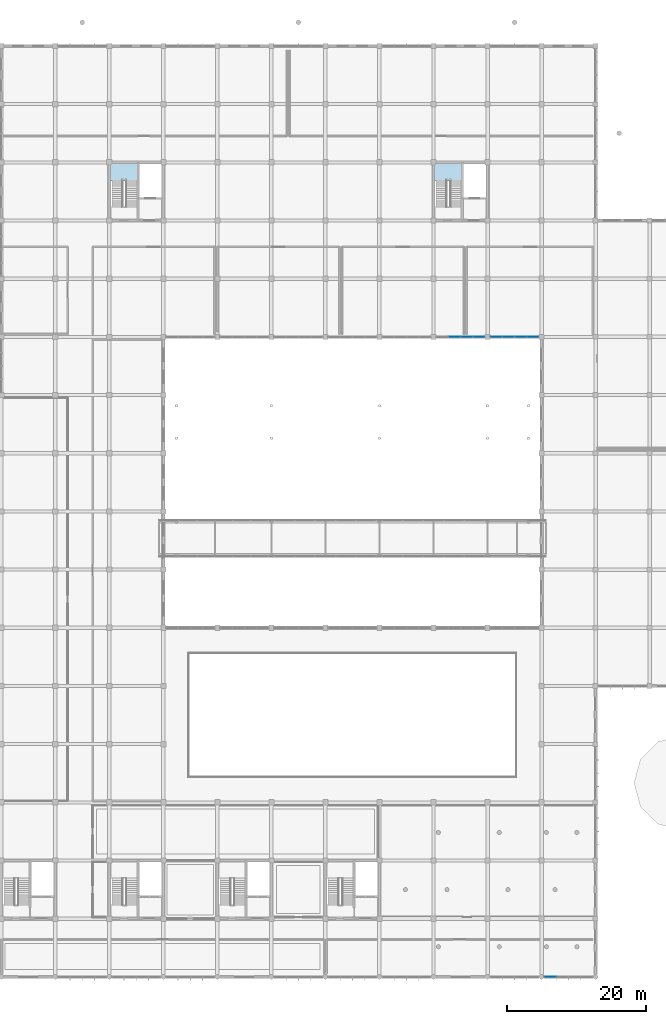
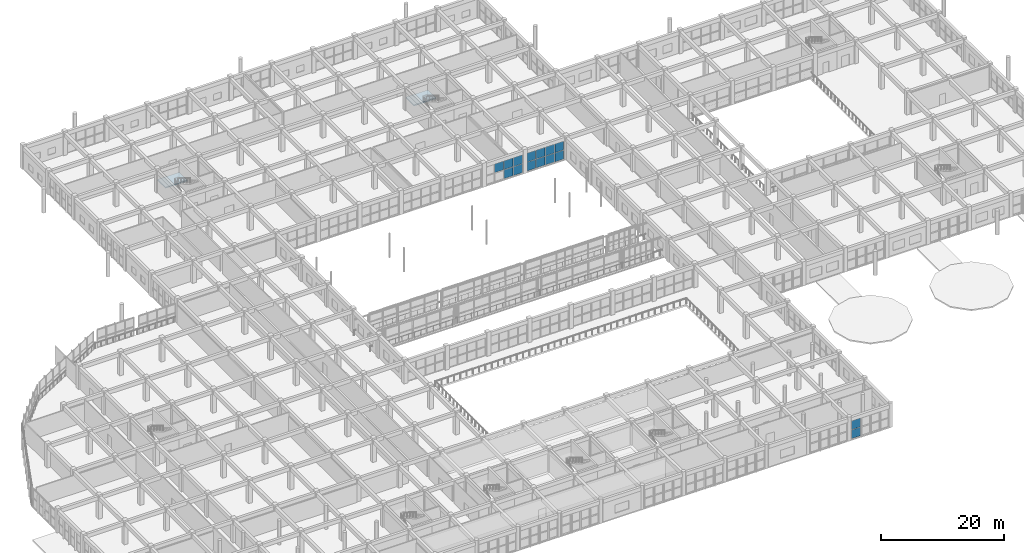
# One storey, part 145 of 175: 15 plates, 2 slabs, 5 elements without a shape of their own.
"""IFC4 building model written with IfcOpenShell, lengths in metres."""

from ifc_helpers import new_model, si_unit, direction, frame, origin, origin_2d, place, context, subcontext, project, spatial, polyline, rectangle, outline, extrude, material, layer, layer_set, type_object, element, aggregate, save


model = new_model("IFC4")

# Units and contexts
model_context = context("Model", 3, precision=1e-05, world=origin(), true_north=direction((0.0, 1.0)))
body_context = subcontext(model_context, "Body", "Model", "MODEL_VIEW")
ifc_project = project(units=[si_unit("LENGTHUNIT", "METRE"), si_unit("AREAUNIT", "SQUARE_METRE"), si_unit("VOLUMEUNIT", "CUBIC_METRE"), si_unit("PLANEANGLEUNIT", "RADIAN"), si_unit("MASSUNIT", "GRAM", prefix="KILO")], contexts=[model_context])

# Site, building, storey
site_placement = place(None, origin())
site = spatial("IfcSite", under=ifc_project, at=site_placement, CompositionType="ELEMENT")
building_placement = place(site_placement, origin())
building = spatial("IfcBuilding", under=site, at=building_placement, Name="Zizhar Promenade General Hospital", CompositionType="ELEMENT")
storey_placement = place(building_placement, frame((0.0, 0.0, 4.800048828125)))
storey = spatial("IfcBuildingStorey", under=building, at=storey_placement, Name="L01", CompositionType="ELEMENT", Elevation=4.800048828125)

# Curtain wall, plates
ifc_material_1 = material(Name="Anodised aluminium 6063-T6 and low-E glass", Category="aluminium")
ifc_layer_1 = layer(ifc_material_1, 0.159912109375)
ifc_layer_set_1 = layer_set([ifc_layer_1], Name="Anodised aluminium 6063-T6 and low-E glass")
curtain_wall_type = type_object("IfcCurtainWallType", Name="CW-DT-MOD1", PredefinedType="NOTDEFINED", material=ifc_layer_set_1)
curtain_wall_1_placement = place(storey_placement, origin())
curtain_wall_1 = element("IfcCurtainWall", 1, at=curtain_wall_1_placement, inside=storey, type_object=curtain_wall_type, Name="Riverfront Clinical Curtain Wall L01-15", PredefinedType="NOTDEFINED")
ifc_material_2 = material(Name="Low-E solar-control glass", Category="glass")
ifc_layer_2 = layer(ifc_material_2, 0.031982421875)
ifc_layer_set_2 = layer_set([ifc_layer_2], Name="Low-E solar-control glass")
plate_type = type_object("IfcPlateType", Name="CWP-GLZ-32", PredefinedType="CURTAIN_PANEL", material=ifc_layer_set_2)
plate_1_placement = place(storey_placement, frame((126.06494140625, 0.0, 0.06005859375), z_axis=(0.0, 0.0, 1.0), x_axis=(-1.0, 0.0, 0.0)))
plate_1 = element("IfcPlate", 2, at=plate_1_placement, type_object=plate_type, Name="CW-07 panel 4.1", PredefinedType="CURTAIN_PANEL", context=body_context, shape_type="SweptSolid", body=[
    extrude(rectangle(XDim=1.64990234375, YDim=0.031982421875, at=origin_2d()), origin(), (0.0, 0.0, 1.0), 1.75),
])
plate_2_placement = place(storey_placement, frame((126.06494140625, 0.0, 1.869873046875), z_axis=(0.0, 0.0, 1.0), x_axis=(-1.0, 0.0, 0.0)))
plate_2 = element("IfcPlate", 3, at=plate_2_placement, type_object=plate_type, Name="CW-07 panel 4.2", PredefinedType="CURTAIN_PANEL", context=body_context, shape_type="SweptSolid", body=[
    extrude(rectangle(XDim=1.64990234375, YDim=0.031982421875, at=origin_2d()), origin(), (0.0, 0.0, 1.0), 1.75),
])
aggregate(curtain_wall_1, [plate_1, plate_2])

curtain_wall_2_placement = place(storey_placement, origin())
curtain_wall_2 = element("IfcCurtainWall", 4, at=curtain_wall_2_placement, inside=storey, type_object=curtain_wall_type, Name="Garden Court North Surgical Glazing L01-14", PredefinedType="NOTDEFINED")
plate_3_placement = place(storey_placement, frame((115.735107421875, 92.39990234375, 0.06005859375), z_axis=(0.0, 0.0, 1.0), x_axis=(-1.0, 0.0, 0.0)))
plate_3 = element("IfcPlate", 5, at=plate_3_placement, type_object=plate_type, Name="CW-07 panel 1.1", PredefinedType="CURTAIN_PANEL", context=body_context, shape_type="SweptSolid", body=[
    extrude(rectangle(XDim=1.64990234375, YDim=0.031982421875, at=origin_2d()), origin(), (0.0, 0.0, 1.0), 1.75),
])
plate_4_placement = place(storey_placement, frame((115.735107421875, 92.39990234375, 1.869873046875), z_axis=(0.0, 0.0, 1.0), x_axis=(-1.0, 0.0, 0.0)))
plate_4 = element("IfcPlate", 6, at=plate_4_placement, type_object=plate_type, Name="CW-07 panel 1.2", PredefinedType="CURTAIN_PANEL", context=body_context, shape_type="SweptSolid", body=[
    extrude(rectangle(XDim=1.64990234375, YDim=0.031982421875, at=origin_2d()), origin(), (0.0, 0.0, 1.0), 1.75),
])
plate_5_placement = place(storey_placement, frame((113.985107421875, 92.39990234375, 0.06005859375), z_axis=(0.0, 0.0, 1.0), x_axis=(-1.0, 0.0, 0.0)))
plate_5 = element("IfcPlate", 7, at=plate_5_placement, type_object=plate_type, Name="CW-07 panel 2.1", PredefinedType="CURTAIN_PANEL", context=body_context, shape_type="SweptSolid", body=[
    extrude(rectangle(XDim=1.68994140625, YDim=0.031982421875, at=origin_2d()), origin(), (0.0, 0.0, 1.0), 1.75),
])
plate_6_placement = place(storey_placement, frame((113.985107421875, 92.39990234375, 1.869873046875), z_axis=(0.0, 0.0, 1.0), x_axis=(-1.0, 0.0, 0.0)))
plate_6 = element("IfcPlate", 8, at=plate_6_placement, type_object=plate_type, Name="CW-07 panel 2.2", PredefinedType="CURTAIN_PANEL", context=body_context, shape_type="SweptSolid", body=[
    extrude(rectangle(XDim=1.68994140625, YDim=0.031982421875, at=origin_2d()), origin(), (0.0, 0.0, 1.0), 1.75),
])
plate_7_placement = place(storey_placement, frame((112.215087890625, 92.39990234375, 1.869873046875), z_axis=(0.0, 0.0, 1.0), x_axis=(-1.0, 0.0, 0.0)))
plate_7 = element("IfcPlate", 9, at=plate_7_placement, type_object=plate_type, Name="CW-07 panel 3.2", PredefinedType="CURTAIN_PANEL", context=body_context, shape_type="SweptSolid", body=[
    extrude(rectangle(XDim=1.68994140625, YDim=0.031982421875, at=origin_2d()), origin(), (0.0, 0.0, 1.0), 1.75),
])
aggregate(curtain_wall_2, [plate_3, plate_4, plate_5, plate_6, plate_7])

curtain_wall_3_placement = place(storey_placement, origin())
curtain_wall_3 = element("IfcCurtainWall", 10, at=curtain_wall_3_placement, inside=storey, type_object=curtain_wall_type, Name="Garden Court North Surgical Glazing L01-15", PredefinedType="NOTDEFINED")
plate_8_placement = place(storey_placement, frame((123.534912109375, 92.39990234375, 0.06005859375), z_axis=(0.0, 0.0, 1.0), x_axis=(-1.0, 0.0, 0.0)))
plate_8 = element("IfcPlate", 11, at=plate_8_placement, type_object=plate_type, Name="CW-07 panel 1.1", PredefinedType="CURTAIN_PANEL", context=body_context, shape_type="SweptSolid", body=[
    extrude(rectangle(XDim=1.64990234375, YDim=0.031982421875, at=origin_2d()), origin(), (0.0, 0.0, 1.0), 1.75),
])
plate_9_placement = place(storey_placement, frame((123.534912109375, 92.39990234375, 1.869873046875), z_axis=(0.0, 0.0, 1.0), x_axis=(-1.0, 0.0, 0.0)))
plate_9 = element("IfcPlate", 12, at=plate_9_placement, type_object=plate_type, Name="CW-07 panel 1.2", PredefinedType="CURTAIN_PANEL", context=body_context, shape_type="SweptSolid", body=[
    extrude(rectangle(XDim=1.64990234375, YDim=0.031982421875, at=origin_2d()), origin(), (0.0, 0.0, 1.0), 1.75),
])
plate_10_placement = place(storey_placement, frame((121.784912109375, 92.39990234375, 0.06005859375), z_axis=(0.0, 0.0, 1.0), x_axis=(-1.0, 0.0, 0.0)))
plate_10 = element("IfcPlate", 13, at=plate_10_placement, type_object=plate_type, Name="CW-07 panel 2.1", PredefinedType="CURTAIN_PANEL", context=body_context, shape_type="SweptSolid", body=[
    extrude(rectangle(XDim=1.68994140625, YDim=0.031982421875, at=origin_2d()), origin(), (0.0, 0.0, 1.0), 1.75),
])
plate_11_placement = place(storey_placement, frame((121.784912109375, 92.39990234375, 1.869873046875), z_axis=(0.0, 0.0, 1.0), x_axis=(-1.0, 0.0, 0.0)))
plate_11 = element("IfcPlate", 14, at=plate_11_placement, type_object=plate_type, Name="CW-07 panel 2.2", PredefinedType="CURTAIN_PANEL", context=body_context, shape_type="SweptSolid", body=[
    extrude(rectangle(XDim=1.68994140625, YDim=0.031982421875, at=origin_2d()), origin(), (0.0, 0.0, 1.0), 1.75),
])
plate_12_placement = place(storey_placement, frame((120.014892578125, 92.39990234375, 0.06005859375), z_axis=(0.0, 0.0, 1.0), x_axis=(-1.0, 0.0, 0.0)))
plate_12 = element("IfcPlate", 15, at=plate_12_placement, type_object=plate_type, Name="CW-07 panel 3.1", PredefinedType="CURTAIN_PANEL", context=body_context, shape_type="SweptSolid", body=[
    extrude(rectangle(XDim=1.68994140625, YDim=0.031982421875, at=origin_2d()), origin(), (0.0, 0.0, 1.0), 1.75),
])
plate_13_placement = place(storey_placement, frame((120.014892578125, 92.39990234375, 1.869873046875), z_axis=(0.0, 0.0, 1.0), x_axis=(-1.0, 0.0, 0.0)))
plate_13 = element("IfcPlate", 16, at=plate_13_placement, type_object=plate_type, Name="CW-07 panel 3.2", PredefinedType="CURTAIN_PANEL", context=body_context, shape_type="SweptSolid", body=[
    extrude(rectangle(XDim=1.68994140625, YDim=0.031982421875, at=origin_2d()), origin(), (0.0, 0.0, 1.0), 1.75),
])
plate_14_placement = place(storey_placement, frame((118.264892578125, 92.39990234375, 0.06005859375), z_axis=(0.0, 0.0, 1.0), x_axis=(-1.0, 0.0, 0.0)))
plate_14 = element("IfcPlate", 17, at=plate_14_placement, type_object=plate_type, Name="CW-07 panel 4.1", PredefinedType="CURTAIN_PANEL", context=body_context, shape_type="SweptSolid", body=[
    extrude(rectangle(XDim=1.64990234375, YDim=0.031982421875, at=origin_2d()), origin(), (0.0, 0.0, 1.0), 1.75),
])
plate_15_placement = place(storey_placement, frame((118.264892578125, 92.39990234375, 1.869873046875), z_axis=(0.0, 0.0, 1.0), x_axis=(-1.0, 0.0, 0.0)))
plate_15 = element("IfcPlate", 18, at=plate_15_placement, type_object=plate_type, Name="CW-07 panel 4.2", PredefinedType="CURTAIN_PANEL", context=body_context, shape_type="SweptSolid", body=[
    extrude(rectangle(XDim=1.64990234375, YDim=0.031982421875, at=origin_2d()), origin(), (0.0, 0.0, 1.0), 1.75),
])
aggregate(curtain_wall_3, [plate_8, plate_9, plate_10, plate_11, plate_12, plate_13, plate_14, plate_15])

# Stair, slab
ifc_material_3 = material(Name="Concrete C35/45", Category="concrete")
stair_type = type_object("IfcStairType", Name="STR-DOG-480", PredefinedType="HALF_TURN_STAIR", material=ifc_material_3)
stair_1_placement = place(storey_placement, origin())
stair_1 = element("IfcStair", 19, at=stair_1_placement, inside=storey, type_object=stair_type, Name="Exit Stair ST-06 (L01 to L02)", PredefinedType="HALF_TURN_STAIR")
ifc_material_4 = material(Name="Concrete C35/45", Category="concrete")
ifc_layer_3 = layer(ifc_material_4, 0.219970703125)
ifc_layer_set_3 = layer_set([ifc_layer_3], Name="Concrete C35/45")
slab_type = type_object("IfcSlabType", Name="SLB-LAND-480", PredefinedType="LANDING", material=ifc_layer_set_3)
slab_1_placement = place(storey_placement, frame((0.0, 0.0, 2.179931640625)))
slab_1 = element("IfcSlab", 20, at=slab_1_placement, type_object=slab_type, Name="ST-06A landing 1", PredefinedType="LANDING", context=body_context, shape_type="SweptSolid", body=[
    extrude(outline(polyline([(62.39990234375, 114.969970703125), (66.550048828125, 114.969970703125), (66.550048828125, 117.60009765625), (62.39990234375, 117.60009765625), (62.39990234375, 114.969970703125)])), origin(), (0.0, 0.0, 1.0), 0.219970703125),
])
aggregate(stair_1, [slab_1])

stair_2_placement = place(storey_placement, origin())
stair_2 = element("IfcStair", 21, at=stair_2_placement, inside=storey, type_object=stair_type, Name="Exit Stair ST-07 (L01 to L02)", PredefinedType="HALF_TURN_STAIR")
slab_2_placement = place(storey_placement, frame((0.0, 0.0, 2.179931640625)))
slab_2 = element("IfcSlab", 22, at=slab_2_placement, type_object=slab_type, Name="ST-07A landing 1", PredefinedType="LANDING", context=body_context, shape_type="SweptSolid", body=[
    extrude(outline(polyline([(109.199951171875, 114.969970703125), (113.35009765625, 114.969970703125), (113.35009765625, 117.60009765625), (109.199951171875, 117.60009765625), (109.199951171875, 114.969970703125)])), origin(), (0.0, 0.0, 1.0), 0.219970703125),
])
aggregate(stair_2, [slab_2])

save(model, "model.ifc")
